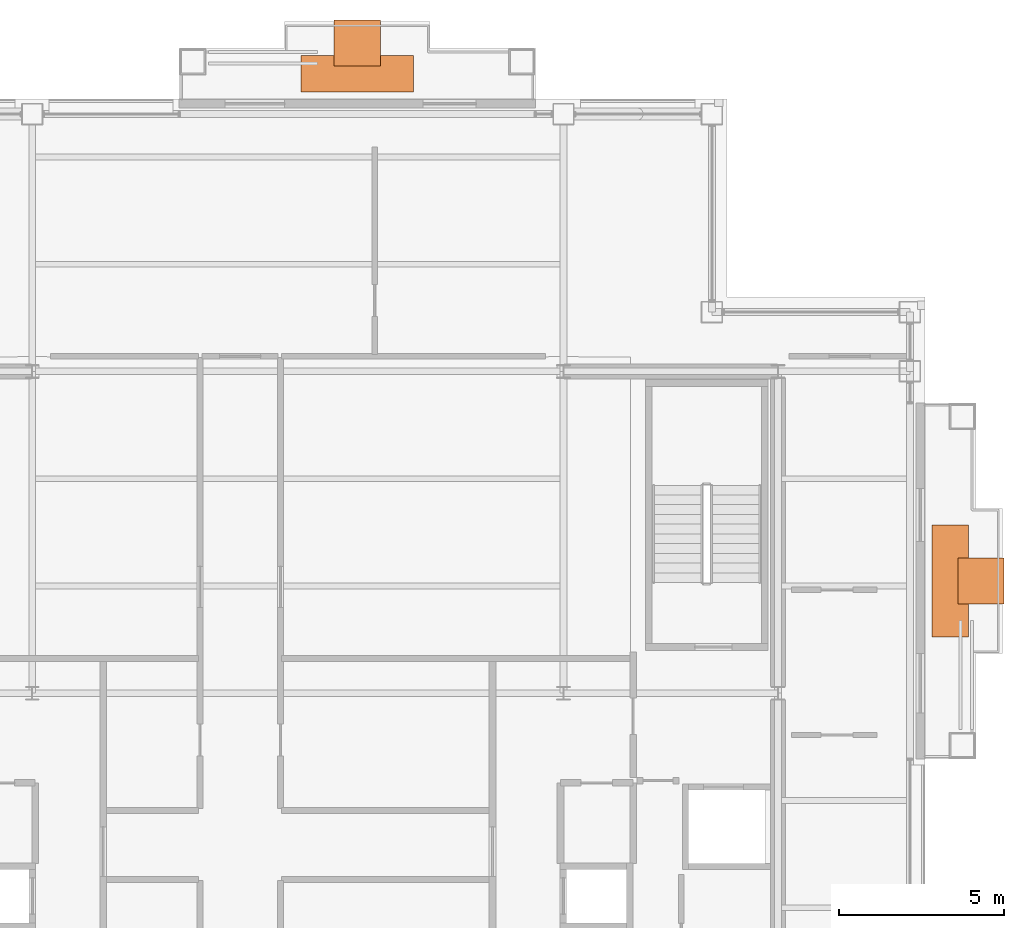
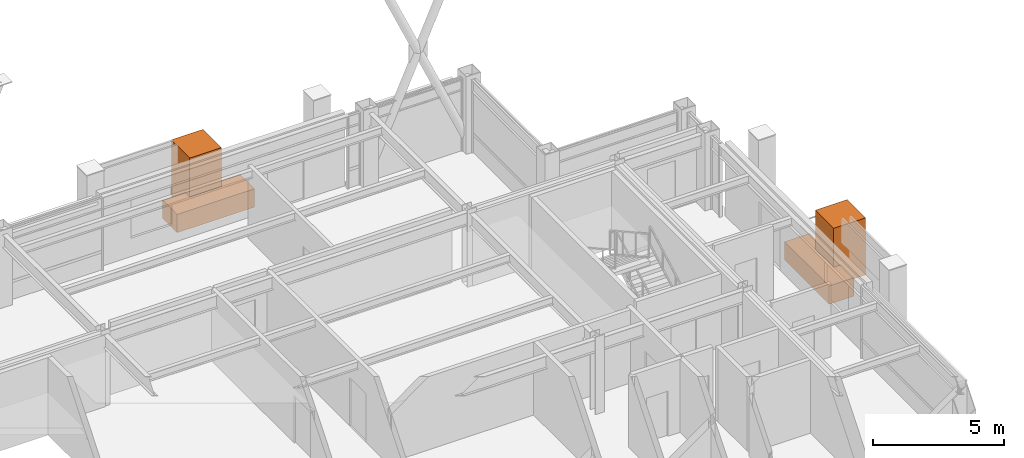
# One storey, part 30 of 30: 4 proxies.
"""IFC4 building model written with IfcOpenShell, lengths in metres."""

from ifc_helpers import new_model, si_unit, direction, frame, origin, origin_2d, place, context, subcontext, project, spatial, rectangle, extrude, material, type_object, element, save


model = new_model("IFC4")

# Units and contexts
model_context = context("Model", 3, precision=1e-05, world=origin(), true_north=direction((0.0, 1.0)))
body_context = subcontext(model_context, "Body", "Model", "MODEL_VIEW")
ifc_project = project(units=[si_unit("LENGTHUNIT", "METRE"), si_unit("AREAUNIT", "SQUARE_METRE"), si_unit("VOLUMEUNIT", "CUBIC_METRE"), si_unit("PLANEANGLEUNIT", "RADIAN"), si_unit("MASSUNIT", "GRAM", prefix="KILO")], contexts=[model_context])

# Site, building, storey
site_placement = place(None, origin())
site = spatial("IfcSite", under=ifc_project, at=site_placement, CompositionType="ELEMENT")
building_placement = place(site_placement, origin())
building = spatial("IfcBuilding", under=site, at=building_placement, Name="Brelmoor Portico Tower", CompositionType="ELEMENT")
storey_placement = place(building_placement, frame((0.0, 0.0, 236.39990234375)))
storey = spatial("IfcBuildingStorey", under=building, at=storey_placement, Name="L62", CompositionType="ELEMENT", Elevation=236.39990234375)

# Proxies
ifc_material_1 = material(Name="Planted Canopy Tree and Soil Rootball", Category="other")
building_element_proxy_type_1 = type_object("IfcBuildingElementProxyType", Name="BALCONY TREE ARBOR", PredefinedType="USERDEFINED", material=ifc_material_1)
for number, where, z_axis, x_axis, name in (
    (1, (1.800048828125, 19.699951171875, 0.000244140625), (0.0, 0.0, 1.0), (1.0, 0.0, 0.0), "L62 Balcony PLANTER Tree Canopy Arbor N"),
    (2, (20.699951171875, 3.39990234375, 0.000244140625), (0.0, 0.0, 1.0), (1.0, 0.0, 0.0), "L62 Balcony PLANTER Tree Canopy Arbor E"),
):
    element("IfcBuildingElementProxy", number, at=place(storey_placement, frame(where, z_axis=z_axis, x_axis=x_axis)), inside=storey, type_object=building_element_proxy_type_1, Name=name, ObjectType="PLANTER", PredefinedType="USERDEFINED", context=body_context, shape_type="SweptSolid", body=[
        extrude(rectangle(XDim=1.39990234375, YDim=1.39990234375, at=origin_2d()), origin(), (0.0, 0.0, 1.0), 2.64990234375),
    ])
ifc_material_2 = material(Name="Architectural Precast Concrete C40", Category="concrete")
building_element_proxy_type_2 = type_object("IfcBuildingElementProxyType", Name="TREE PLANTER", PredefinedType="USERDEFINED", material=ifc_material_2)
for number, where, z_axis, x_axis, name in (
    (3, (1.800048828125, 18.77490234375, 0.0), (0.0, 0.0, 1.0), (1.0, 0.0, 0.0), "L62 Planted Tree Planter N"),
    (4, (19.77490234375, 3.39990234375, 0.0), (0.0, 0.0, 1.0), (0.0, 1.0, 0.0), "L62 Planted Tree Planter E"),
):
    element("IfcBuildingElementProxy", number, at=place(storey_placement, frame(where, z_axis=z_axis, x_axis=x_axis)), inside=storey, type_object=building_element_proxy_type_2, Name=name, ObjectType="PLANTER", PredefinedType="USERDEFINED", context=body_context, shape_type="SweptSolid", body=[
        extrude(rectangle(XDim=3.39990234375, YDim=1.10009765625, at=origin_2d()), origin(), (0.0, 0.0, 1.0), 0.85009765625),
    ])

save(model, "model.ifc")
